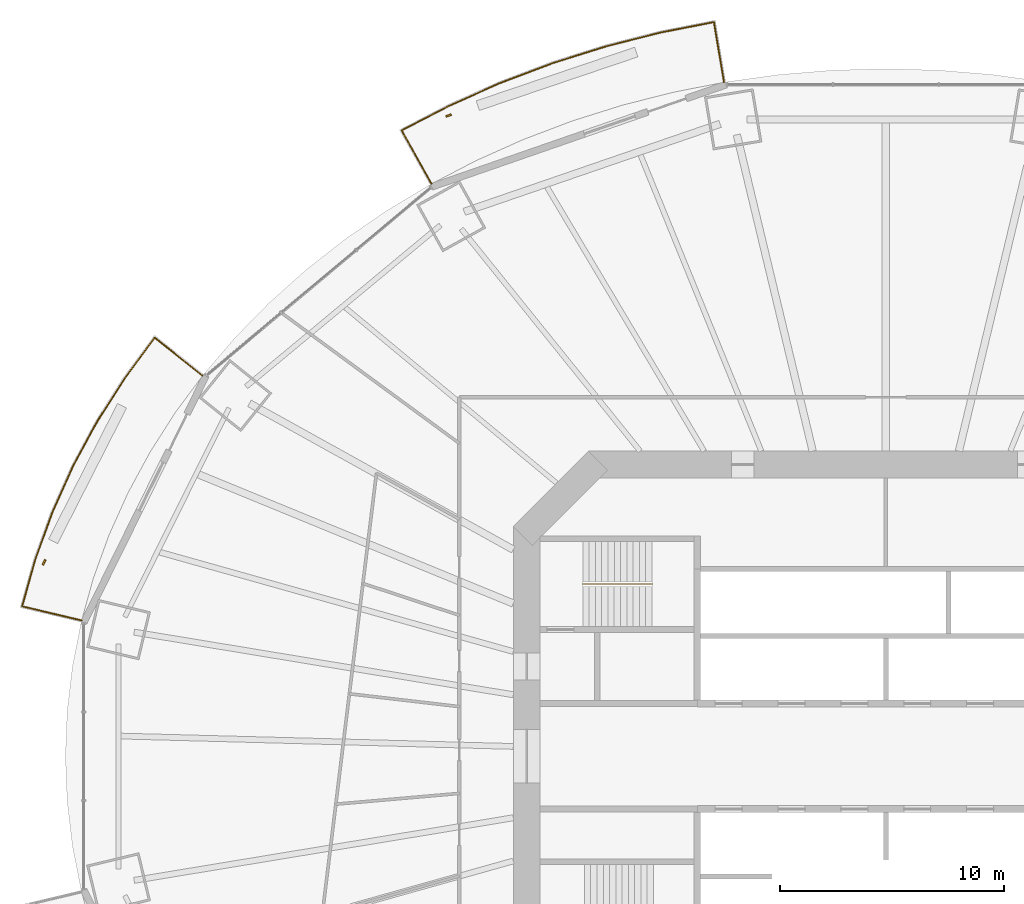
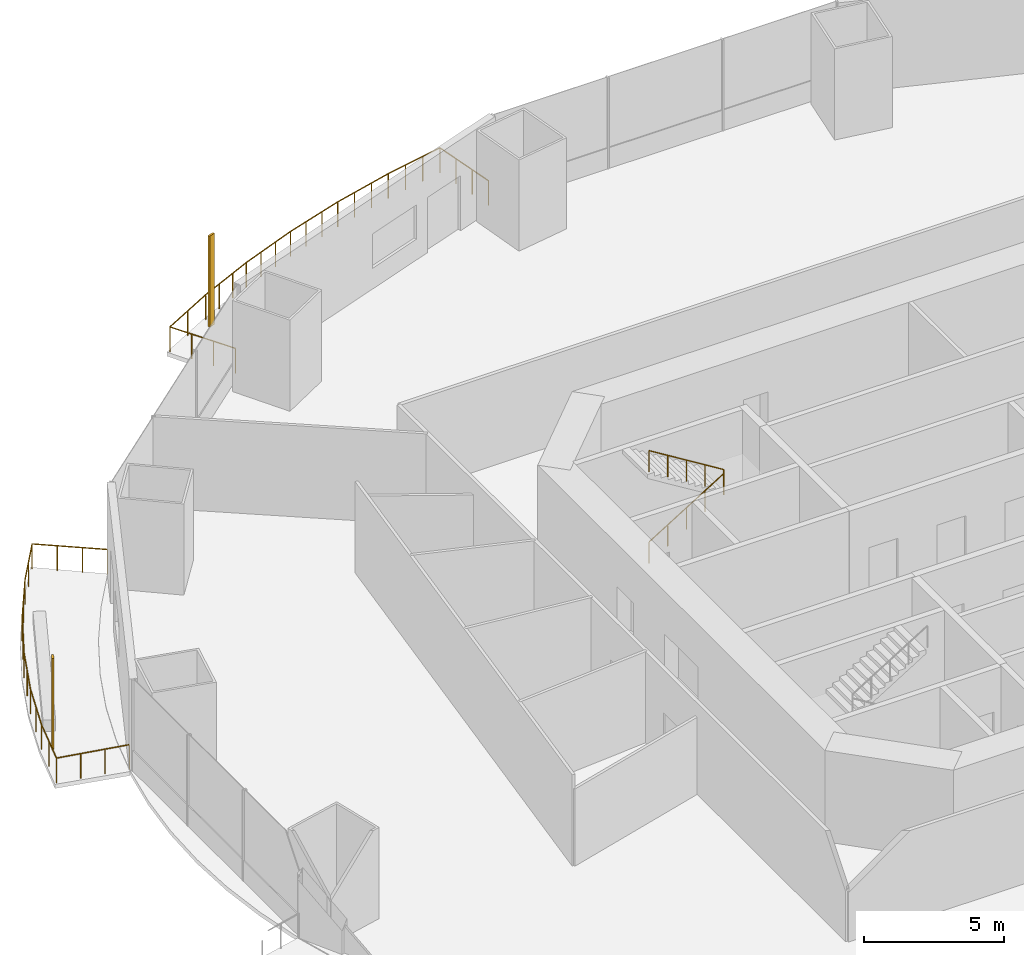
# One storey, part 20 of 23: 3 railings, 2 shading devices.
"""IFC4 building model written with IfcOpenShell, lengths in metres."""

from ifc_helpers import new_model, si_unit, direction, frame, origin, origin_2d, place, context, subcontext, project, spatial, rectangle, circle, extrude, material, material_profile, profile_set, type_object, element, save


model = new_model("IFC4")

# Units and contexts
model_context = context("Model", 3, precision=1e-05, world=origin(), true_north=direction((0.0, 1.0)))
body_context = subcontext(model_context, "Body", "Model", "MODEL_VIEW")
ifc_project = project(units=[si_unit("LENGTHUNIT", "METRE"), si_unit("AREAUNIT", "SQUARE_METRE"), si_unit("VOLUMEUNIT", "CUBIC_METRE"), si_unit("PLANEANGLEUNIT", "RADIAN"), si_unit("MASSUNIT", "GRAM", prefix="KILO")], contexts=[model_context])

# Site, building, storey
site_placement = place(None, origin())
site = spatial("IfcSite", under=ifc_project, at=site_placement, CompositionType="ELEMENT")
building_placement = place(site_placement, origin())
building = spatial("IfcBuilding", under=site, at=building_placement, Name="Marenthal Gate Tower", CompositionType="ELEMENT")
storey_placement = place(building_placement, frame((0.0, 0.0, 53.75)))
storey = spatial("IfcBuildingStorey", under=building, at=storey_placement, Name="L09", CompositionType="ELEMENT", Elevation=53.75)

# Railings
ifc_material_1 = material(Name="Stainless steel", Category="steel")
railing_type_1 = type_object("IfcRailingType", Name="Balcony guard 1100", PredefinedType="GUARDRAIL", material=ifc_material_1)
railing_1_placement = place(storey_placement, frame((-20.24072265625, 25.51123046875, 0.0)))
element("IfcRailing", 1, at=railing_1_placement, inside=storey, type_object=railing_type_1, Name="Balcony guard L09 bay 5", PredefinedType="GUARDRAIL", context=body_context, shape_type="SweptSolid", body=[
    extrude(circle(Radius=0.02392578125, at=origin_2d()), frame((0.0, 0.0, 1.076171875), z_axis=(-0.488779989422, 0.872282908041, -0.014719044852), x_axis=(-0.872377413566, -0.488832945188, 0.0)), (0.0, 0.0, 1.0), 2.72021484375),
    extrude(circle(Radius=0.02392578125, at=origin_2d()), frame((-1.32958984375, 2.372802734375, 1.0361328125), z_axis=(0.887280789471, 0.461229661487, 0.0), x_axis=(-0.461229661487, 0.887280789471, 0.0)), (0.0, 0.0, 1.0), 2.37353515625),
    extrude(circle(Radius=0.02392578125, at=origin_2d()), frame((0.7763671875, 3.467529296875, 1.0361328125), z_axis=(0.912605925031, 0.408840342429, 0.0), x_axis=(-0.408840342429, 0.912605925031, 0.0)), (0.0, 0.0, 1.0), 2.4716796875),
    extrude(circle(Radius=0.02392578125, at=origin_2d()), frame((3.031982421875, 4.47802734375, 1.0361328125), z_axis=(0.934902124895, 0.354905645019, 0.0), x_axis=(-0.354905645019, 0.934902124895, 0.0)), (0.0, 0.0, 1.0), 2.488037109375),
    extrude(circle(Radius=0.02392578125, at=origin_2d()), frame((5.358154296875, 5.361083984375, 1.0361328125), z_axis=(0.953671084495, 0.30085123001, 0.0), x_axis=(-0.30085123001, 0.953671084495, 0.0)), (0.0, 0.0, 1.0), 2.502685546875),
    extrude(circle(Radius=0.02392578125, at=origin_2d()), frame((7.744873046875, 6.114013671875, 1.0361328125), z_axis=(0.969181494284, 0.246347784927, 0.0), x_axis=(-0.246347784927, 0.969181494284, 0.0)), (0.0, 0.0, 1.0), 2.515380859375),
    extrude(circle(Radius=0.02392578125, at=origin_2d()), frame((10.1826171875, 6.733642578125, 1.0361328125), z_axis=(0.981261967917, 0.19267835976, 0.0), x_axis=(-0.19267835976, 0.981261967917, 0.0)), (0.0, 0.0, 1.0), 2.445556640625),
    extrude(circle(Radius=0.02392578125, at=origin_2d()), frame((12.582275390625, 7.204833984375, 1.0361328125), z_axis=(0.164512163182, -0.986265227064, 0.014719036968), x_axis=(0.986372081632, 0.164529986862, 0.0)), (0.0, 0.0, 1.0), 2.72021484375),
    extrude(circle(Radius=0.02099609375, at=origin_2d()), origin(), (0.0, 0.0, 1.0), 1.052001953125),
    extrude(circle(Radius=0.02099609375, at=origin_2d()), frame((-0.443115234375, 0.791015625, -0.013427734375)), (0.0, 0.0, 1.0), 1.052001953125),
    extrude(circle(Radius=0.02099609375, at=origin_2d()), frame((-0.886474609375, 1.581787109375, -0.026611328125)), (0.0, 0.0, 1.0), 1.052001953125),
    extrude(circle(Radius=0.02099609375, at=origin_2d()), frame((-1.32958984375, 2.372802734375, -0.0400390625)), (0.0, 0.0, 1.0), 1.052001953125),
    extrude(circle(Radius=0.02099609375, at=origin_2d()), frame((-0.276611328125, 2.920166015625, -0.0400390625)), (0.0, 0.0, 1.0), 1.052001953125),
    extrude(circle(Radius=0.02099609375, at=origin_2d()), frame((0.7763671875, 3.467529296875, -0.0400390625)), (0.0, 0.0, 1.0), 1.052001953125),
    extrude(circle(Radius=0.02099609375, at=origin_2d()), frame((1.5283203125, 3.804443359375, -0.0400390625)), (0.0, 0.0, 1.0), 1.052001953125),
    extrude(circle(Radius=0.02099609375, at=origin_2d()), frame((2.280029296875, 4.14111328125, -0.0400390625)), (0.0, 0.0, 1.0), 1.052001953125),
    extrude(circle(Radius=0.02099609375, at=origin_2d()), frame((3.031982421875, 4.47802734375, -0.0400390625)), (0.0, 0.0, 1.0), 1.052001953125),
    extrude(circle(Radius=0.02099609375, at=origin_2d()), frame((3.807373046875, 4.7724609375, -0.0400390625)), (0.0, 0.0, 1.0), 1.052001953125),
    extrude(circle(Radius=0.02099609375, at=origin_2d()), frame((4.582763671875, 5.066650390625, -0.0400390625)), (0.0, 0.0, 1.0), 1.052001953125),
    extrude(circle(Radius=0.02099609375, at=origin_2d()), frame((5.358154296875, 5.361083984375, -0.0400390625)), (0.0, 0.0, 1.0), 1.052001953125),
    extrude(circle(Radius=0.02099609375, at=origin_2d()), frame((6.15380859375, 5.612060546875, -0.0400390625)), (0.0, 0.0, 1.0), 1.052001953125),
    extrude(circle(Radius=0.02099609375, at=origin_2d()), frame((6.94921875, 5.863037109375, -0.0400390625)), (0.0, 0.0, 1.0), 1.052001953125),
    extrude(circle(Radius=0.02099609375, at=origin_2d()), frame((7.744873046875, 6.114013671875, -0.0400390625)), (0.0, 0.0, 1.0), 1.052001953125),
    extrude(circle(Radius=0.02099609375, at=origin_2d()), frame((8.557373046875, 6.320556640625, -0.0400390625)), (0.0, 0.0, 1.0), 1.052001953125),
    extrude(circle(Radius=0.02099609375, at=origin_2d()), frame((9.3701171875, 6.527099609375, -0.0400390625)), (0.0, 0.0, 1.0), 1.052001953125),
    extrude(circle(Radius=0.02099609375, at=origin_2d()), frame((10.1826171875, 6.733642578125, -0.0400390625)), (0.0, 0.0, 1.0), 1.052001953125),
    extrude(circle(Radius=0.02099609375, at=origin_2d()), frame((10.982421875, 6.890625, -0.0400390625)), (0.0, 0.0, 1.0), 1.052001953125),
    extrude(circle(Radius=0.02099609375, at=origin_2d()), frame((11.782470703125, 7.0478515625, -0.0400390625)), (0.0, 0.0, 1.0), 1.052001953125),
    extrude(circle(Radius=0.02099609375, at=origin_2d()), frame((12.582275390625, 7.204833984375, -0.0400390625)), (0.0, 0.0, 1.0), 1.052001953125),
    extrude(circle(Radius=0.02099609375, at=origin_2d()), frame((12.7314453125, 6.310546875, -0.026611328125)), (0.0, 0.0, 1.0), 1.052001953125),
    extrude(circle(Radius=0.02099609375, at=origin_2d()), frame((12.880615234375, 5.416259765625, -0.013427734375)), (0.0, 0.0, 1.0), 1.052001953125),
    extrude(circle(Radius=0.02099609375, at=origin_2d()), frame((13.02978515625, 4.52197265625, 0.0)), (0.0, 0.0, 1.0), 1.052001953125),
])
railing_2_placement = place(storey_placement, frame((-35.8369140625, 6.054443359375, 0.0)))
element("IfcRailing", 2, at=railing_2_placement, inside=storey, type_object=railing_type_1, Name="Balcony guard L09 bay 7", PredefinedType="GUARDRAIL", context=body_context, shape_type="SweptSolid", body=[
    extrude(circle(Radius=0.02392578125, at=origin_2d()), frame((0.0, 0.0, 1.076171875), z_axis=(-0.972906523904, 0.230729884047, -0.014717892254), x_axis=(-0.230754878041, -0.973011914758, 0.0)), (0.0, 0.0, 1.0), 2.720458984375),
    extrude(circle(Radius=0.02392578125, at=origin_2d()), frame((-2.646728515625, 0.627685546875, 1.0361328125), z_axis=(0.269402906993, 0.963027556046, 0.0), x_axis=(-0.963027556046, 0.269402906993, 0.0)), (0.0, 0.0, 1.0), 2.154052734375),
    extrude(circle(Radius=0.02392578125, at=origin_2d()), frame((-2.06640625, 2.7021484375, 1.0361328125), z_axis=(0.340363176703, 0.940294053977, 0.0), x_axis=(-0.940294053977, 0.340363176703, 0.0)), (0.0, 0.0, 1.0), 2.2451171875),
    extrude(circle(Radius=0.02392578125, at=origin_2d()), frame((-1.30224609375, 4.813232421875, 1.0361328125), z_axis=(0.409595910935, 0.912267060539, 0.0), x_axis=(-0.912267060539, 0.409595910935, 0.0)), (0.0, 0.0, 1.0), 2.258544921875),
    extrude(circle(Radius=0.02392578125, at=origin_2d()), frame((-0.377197265625, 6.87353515625, 1.0361328125), z_axis=(0.475629312141, 0.879645813628, 0.0), x_axis=(-0.879645813628, 0.475629312141, 0.0)), (0.0, 0.0, 1.0), 2.27392578125),
    extrude(circle(Radius=0.02392578125, at=origin_2d()), frame((0.704345703125, 8.873779296875, 1.0361328125), z_axis=(0.537716445458, 0.843125746425, 0.0), x_axis=(-0.843125746425, 0.537716445458, 0.0)), (0.0, 0.0, 1.0), 2.291015625),
    extrude(circle(Radius=0.02392578125, at=origin_2d()), frame((1.936279296875, 10.805419921875, 1.0361328125), z_axis=(0.594837345743, 0.803846087326, 0.0), x_axis=(-0.803846087326, 0.594837345743, 0.0)), (0.0, 0.0, 1.0), 2.22998046875),
    extrude(circle(Radius=0.02392578125, at=origin_2d()), frame((3.2626953125, 12.597900390625, 1.0361328125), z_axis=(0.782017214913, -0.623083029968, 0.014717790136), x_axis=(0.623150524983, 0.782101926358, 0.0)), (0.0, 0.0, 1.0), 2.720458984375),
    extrude(circle(Radius=0.02099609375, at=origin_2d()), origin(), (0.0, 0.0, 1.0), 1.052001953125),
    extrude(circle(Radius=0.02099609375, at=origin_2d()), frame((-0.88232421875, 0.209228515625, -0.013427734375)), (0.0, 0.0, 1.0), 1.052001953125),
    extrude(circle(Radius=0.02099609375, at=origin_2d()), frame((-1.764404296875, 0.41845703125, -0.026611328125)), (0.0, 0.0, 1.0), 1.052001953125),
    extrude(circle(Radius=0.02099609375, at=origin_2d()), frame((-2.646728515625, 0.627685546875, -0.0400390625)), (0.0, 0.0, 1.0), 1.052001953125),
    extrude(circle(Radius=0.02099609375, at=origin_2d()), frame((-2.3564453125, 1.6650390625, -0.0400390625)), (0.0, 0.0, 1.0), 1.052001953125),
    extrude(circle(Radius=0.02099609375, at=origin_2d()), frame((-2.06640625, 2.7021484375, -0.0400390625)), (0.0, 0.0, 1.0), 1.052001953125),
    extrude(circle(Radius=0.02099609375, at=origin_2d()), frame((-1.684326171875, 3.7578125, -0.0400390625)), (0.0, 0.0, 1.0), 1.052001953125),
    extrude(circle(Radius=0.02099609375, at=origin_2d()), frame((-1.30224609375, 4.813232421875, -0.0400390625)), (0.0, 0.0, 1.0), 1.052001953125),
    extrude(circle(Radius=0.02099609375, at=origin_2d()), frame((-0.83984375, 5.84326171875, -0.0400390625)), (0.0, 0.0, 1.0), 1.052001953125),
    extrude(circle(Radius=0.02099609375, at=origin_2d()), frame((-0.377197265625, 6.87353515625, -0.0400390625)), (0.0, 0.0, 1.0), 1.052001953125),
    extrude(circle(Radius=0.02099609375, at=origin_2d()), frame((0.16357421875, 7.87353515625, -0.0400390625)), (0.0, 0.0, 1.0), 1.052001953125),
    extrude(circle(Radius=0.02099609375, at=origin_2d()), frame((0.704345703125, 8.873779296875, -0.0400390625)), (0.0, 0.0, 1.0), 1.052001953125),
    extrude(circle(Radius=0.02099609375, at=origin_2d()), frame((1.3203125, 9.839599609375, -0.0400390625)), (0.0, 0.0, 1.0), 1.052001953125),
    extrude(circle(Radius=0.02099609375, at=origin_2d()), frame((1.936279296875, 10.805419921875, -0.0400390625)), (0.0, 0.0, 1.0), 1.052001953125),
    extrude(circle(Radius=0.02099609375, at=origin_2d()), frame((2.599609375, 11.70166015625, -0.0400390625)), (0.0, 0.0, 1.0), 1.052001953125),
    extrude(circle(Radius=0.02099609375, at=origin_2d()), frame((3.2626953125, 12.597900390625, -0.0400390625)), (0.0, 0.0, 1.0), 1.052001953125),
    extrude(circle(Radius=0.02099609375, at=origin_2d()), frame((3.971923828125, 12.032958984375, -0.026611328125)), (0.0, 0.0, 1.0), 1.052001953125),
    extrude(circle(Radius=0.02099609375, at=origin_2d()), frame((4.680908203125, 11.4677734375, -0.013427734375)), (0.0, 0.0, 1.0), 1.052001953125),
    extrude(circle(Radius=0.02099609375, at=origin_2d()), frame((5.39013671875, 10.90283203125, 0.0)), (0.0, 0.0, 1.0), 1.052001953125),
])
ifc_material_2 = material(Name="Stainless steel", Category="steel")
railing_type_2 = type_object("IfcRailingType", Name="Stair handrail", PredefinedType="HANDRAIL", material=ifc_material_2)
railing_3_placement = place(storey_placement, frame((-13.5, 7.675048828125, 0.1728515625)))
element("IfcRailing", 3, at=railing_3_placement, inside=storey, type_object=railing_type_2, Name="Handrail ST1", PredefinedType="HANDRAIL", context=body_context, shape_type="SweptSolid", body=[
    extrude(circle(Radius=0.0224609375, at=origin_2d()), frame((0.0, 0.0, 0.927490234375), z_axis=(0.850835241893, 0.0, 0.525432575268), x_axis=(0.0, 1.0, 0.0)), (0.0, 0.0, 1.0), 3.6201171875),
    extrude(circle(Radius=0.0224609375, at=origin_2d()), frame((3.080078125, 0.0, 2.82958984375), z_axis=(0.0, 0.0, 1.0), x_axis=(1.0, 0.0, 0.0)), (0.0, 0.0, 1.0), 0.1728515625),
    extrude(circle(Radius=0.0224609375, at=origin_2d()), frame((3.080078125, 0.0, 3.00244140625), z_axis=(-0.850835241893, 0.0, 0.525432575268), x_axis=(0.0, -1.0, 0.0)), (0.0, 0.0, 1.0), 3.6201171875),
    extrude(circle(Radius=0.02001953125, at=origin_2d()), origin(), (0.0, 0.0, 1.0), 0.905029296875),
    extrude(circle(Radius=0.02001953125, at=origin_2d()), frame((0.77001953125, 0.0, 0.4755859375)), (0.0, 0.0, 1.0), 0.905029296875),
    extrude(circle(Radius=0.02001953125, at=origin_2d()), frame((1.5400390625, 0.0, 0.951171875)), (0.0, 0.0, 1.0), 0.905029296875),
    extrude(circle(Radius=0.02001953125, at=origin_2d()), frame((2.31005859375, 0.0, 1.426513671875)), (0.0, 0.0, 1.0), 0.905029296875),
    extrude(circle(Radius=0.02001953125, at=origin_2d()), frame((3.080078125, 0.0, 1.902099609375)), (0.0, 0.0, 1.0), 0.905029296875),
    extrude(circle(Radius=0.02001953125, at=origin_2d()), frame((3.080078125, 0.0, 2.074951171875)), (0.0, 0.0, 1.0), 0.905029296875),
    extrude(circle(Radius=0.02001953125, at=origin_2d()), frame((2.31005859375, 0.0, 2.550537109375)), (0.0, 0.0, 1.0), 0.905029296875),
    extrude(circle(Radius=0.02001953125, at=origin_2d()), frame((1.5400390625, 0.0, 3.02587890625)), (0.0, 0.0, 1.0), 0.905029296875),
    extrude(circle(Radius=0.02001953125, at=origin_2d()), frame((0.77001953125, 0.0, 3.50146484375)), (0.0, 0.0, 1.0), 0.905029296875),
    extrude(circle(Radius=0.02001953125, at=origin_2d()), frame((0.0, 0.0, 3.97705078125)), (0.0, 0.0, 1.0), 0.905029296875),
])

# Shading devices
ifc_material_3 = material(Name="Terracotta", Category="masonry")
ifc_material_profile = material_profile(ifc_material_3, rectangle(XDim=0.25, YDim=0.080078125, at=origin_2d()), Name="Terracotta baguette 250x80")
ifc_profile_set = profile_set([ifc_material_profile], Name="Terracotta")
shading_device_type = type_object("IfcShadingDeviceType", Name="Terracotta BAGUETTE SCREEN 250x80", PredefinedType="USERDEFINED", material=ifc_profile_set)
for number, where, z_axis, x_axis, name in (
    (4, (-19.481689453125, 28.55078125, -0.0400390625), (0.0, 0.0, 1.0), (-0.944690686162, -0.327962661713, 0.0), "Terracotta BAGUETTE L09 bay 5R"),
    (5, (-37.507080078125, 8.643310546875, -0.0400390625), (0.0, 0.0, 1.0), (-0.44305812807, -0.89649288628, 0.0), "Terracotta BAGUETTE L09 bay 7R"),
):
    element("IfcShadingDevice", number, at=place(storey_placement, frame(where, z_axis=z_axis, x_axis=x_axis)), inside=storey, type_object=shading_device_type, Name=name, ObjectType="BAGUETTE SCREEN", PredefinedType="USERDEFINED", context=body_context, shape_type="SweptSolid", body=[
        extrude(rectangle(XDim=0.25, YDim=0.080078125, at=origin_2d()), origin(), (0.0, 0.0, 1.0), 3.969970703125),
    ])

save(model, "model.ifc")
